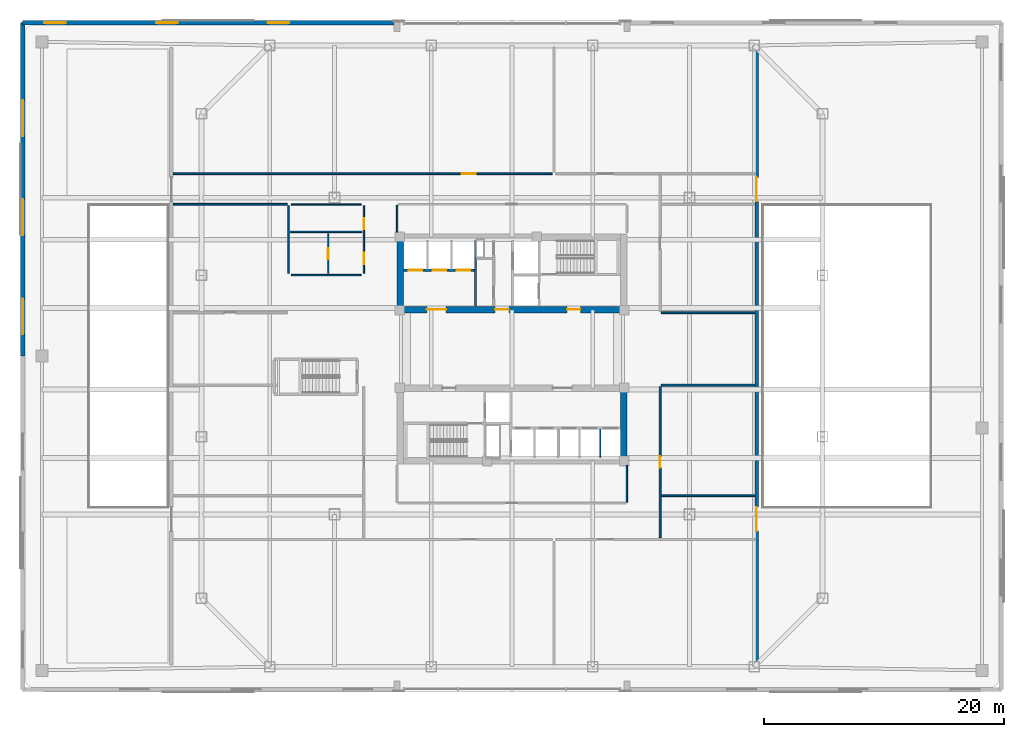
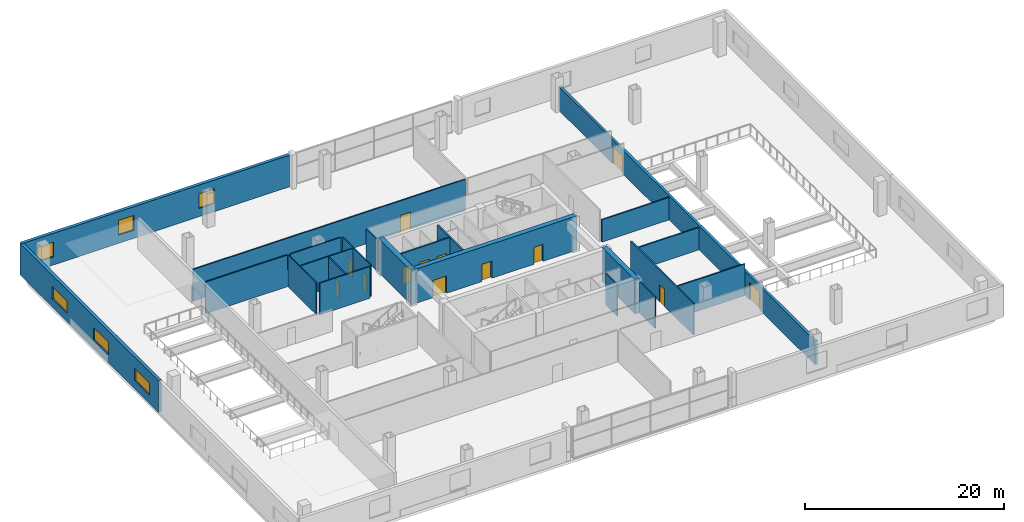
# One storey, part 13 of 21: 23 walls, 13 doors, 6 windows, 19 openings.
"""IFC4 building model written with IfcOpenShell, lengths in metres."""

from ifc_helpers import new_model, si_unit, direction, frame, frame_2d, origin, place, context, subcontext, project, spatial, rectangle, extrude, material, layer, layer_set, type_object, element, fill, save


model = new_model("IFC4")

# Units and contexts
model_context = context("Model", 3, precision=1e-05, world=origin(), true_north=direction((0.0, 1.0)))
body_context = subcontext(model_context, "Body", "Model", "MODEL_VIEW")
ifc_project = project(units=[si_unit("LENGTHUNIT", "METRE"), si_unit("AREAUNIT", "SQUARE_METRE"), si_unit("VOLUMEUNIT", "CUBIC_METRE"), si_unit("PLANEANGLEUNIT", "RADIAN"), si_unit("MASSUNIT", "GRAM", prefix="KILO")], contexts=[model_context])

# Site, building, storey
site_placement = place(None, origin())
site = spatial("IfcSite", under=ifc_project, at=site_placement, CompositionType="ELEMENT")
building_placement = place(site_placement, origin())
building = spatial("IfcBuilding", under=site, at=building_placement, Name="Qhalaya Broadcast Tower", CompositionType="ELEMENT")
storey_placement = place(building_placement, frame((0.0, 0.0, 9.300048828125)))
storey = spatial("IfcBuildingStorey", under=building, at=storey_placement, Name="L02", CompositionType="ELEMENT", Elevation=9.300048828125)

# Wall, opening, door
ifc_material_1 = material(Name="Gypsum Acoustic Partition")
ifc_layer_1 = layer(ifc_material_1, 0.14990234375, Name="Gypsum Acoustic Partition")
ifc_layer_set_1 = layer_set([ifc_layer_1], Name="Gypsum Acoustic Partition")
wall_type_1 = type_object("IfcWallType", Name="Corridor & Tenancy Acoustic Partition 150", PredefinedType="PARTITIONING", material=ifc_layer_set_1)
wall_1_placement = place(storey_placement, frame((-28.239990234375, 15.199951171875, 0.0), z_axis=(0.0, 0.0, 1.0), x_axis=(1.0, 0.0, 0.0)))
wall_1 = element("IfcWall", 1, at=wall_1_placement, inside=storey, type_object=wall_type_1, Name="L02 Partition Wall W-STN1L", PredefinedType="PARTITIONING", context=body_context, shape_type="SweptSolid", body=[
    extrude(rectangle(XDim=31.580078125, YDim=0.14990234375, at=frame_2d((15.7900390625, 0.0))), origin(), (0.0, 0.0, 1.0), 3.8798828125),
])
opening_1_placement = place(wall_1_placement, frame((24.031982421875, 0.0, 0.0)))
opening_1 = element("IfcOpeningElement", 2, at=opening_1_placement, cuts=wall_1, Name="Opening D11", PredefinedType="OPENING", context=body_context, shape_type="SweptSolid", body=[
    extrude(rectangle(XDim=1.199951171875, YDim=2.10009765625, at=frame_2d((0.60009765625, 1.050048828125))), frame((0.0, 0.0869140625, 0.0), z_axis=(0.0, -1.0, 0.0), x_axis=(1.0, 0.0, 0.0)), (0.0, 0.0, 1.0), 0.173828125),
])
ifc_material_2 = material(Name="Anodised Aluminium Glazed Door", Category="aluminium")
door_type_1 = type_object("IfcDoorType", Name="Conference, Boardroom & Studio Control Door D11", OperationType="NOTDEFINED", PredefinedType="DOOR", material=ifc_material_2)
door_1_placement = place(opening_1_placement, origin())
door_1 = element("IfcDoor", 3, at=door_1_placement, inside=storey, type_object=door_type_1, Name="L02 Door D-STN1", OperationType="SINGLE_SWING_LEFT", OverallHeight=2.10009765625, OverallWidth=1.199951171875, PredefinedType="DOOR", context=body_context, shape_type="SweptSolid", body=[
    extrude(rectangle(XDim=1.199951171875, YDim=2.10009765625, at=frame_2d((0.60009765625, 1.050048828125))), frame((0.0, 0.02490234375, 0.0), z_axis=(0.0, -1.0, 0.0), x_axis=(1.0, 0.0, 0.0)), (0.0, 0.0, 1.0), 0.050048828125),
])
fill(opening_1, door_1)

wall_2_placement = place(storey_placement, frame((12.35009765625, -15.139892578125, 0.0), z_axis=(0.0, 0.0, 1.0), x_axis=(0.0, 1.0, 0.0)))
wall_2 = element("IfcWall", 4, at=wall_2_placement, inside=storey, type_object=wall_type_1, Name="L02 Partition Wall W-STPES", PredefinedType="PARTITIONING", context=body_context, shape_type="SweptSolid", body=[
    extrude(rectangle(XDim=12.599853515625, YDim=0.14990234375, at=frame_2d((6.2998046875, 0.0))), origin(), (0.0, 0.0, 1.0), 3.8798828125),
])
opening_2_placement = place(wall_2_placement, frame((5.824951171875, 0.0, 0.0)))
opening_2 = element("IfcOpeningElement", 5, at=opening_2_placement, cuts=wall_2, Name="Opening D10", PredefinedType="OPENING", context=body_context, shape_type="SweptSolid", body=[
    extrude(rectangle(XDim=0.949951171875, YDim=2.10009765625, at=frame_2d((0.47509765625, 1.050048828125))), frame((0.0, 0.0869140625, 0.0), z_axis=(0.0, -1.0, 0.0), x_axis=(1.0, 0.0, 0.0)), (0.0, 0.0, 1.0), 0.173828125),
])
ifc_material_3 = material(Name="Timber Veneer Acoustic Door", Category="wood")
door_type_2 = type_object("IfcDoorType", Name="Cellular Office & Edit Booth Door D10", OperationType="NOTDEFINED", PredefinedType="DOOR", material=ifc_material_3)
door_2_placement = place(opening_2_placement, origin())
door_2 = element("IfcDoor", 6, at=door_2_placement, inside=storey, type_object=door_type_2, Name="L02 Door D-STPE1", OperationType="SINGLE_SWING_RIGHT", OverallHeight=2.10009765625, OverallWidth=0.949951171875, PredefinedType="DOOR", context=body_context, shape_type="SweptSolid", body=[
    extrude(rectangle(XDim=0.949951171875, YDim=2.10009765625, at=frame_2d((0.47509765625, 1.050048828125))), frame((0.0, 0.02490234375, 0.0), z_axis=(0.0, -1.0, 0.0), x_axis=(1.0, 0.0, 0.0)), (0.0, 0.0, 1.0), 0.050048828125),
])
fill(opening_2, door_2)

# Walls
for number, where, z_axis, x_axis, name in (
    (7, (12.4599609375, -2.419921875, 0.0), (0.0, 0.0, 1.0), (1.0, 0.0, 0.0), "L02 Partition Wall W-STP-CS"),
    (8, (12.4599609375, 3.6201171875, 0.0), (0.0, 0.0, 1.0), (1.0, 0.0, 0.0), "L02 Partition Wall W-STP-CN"),
):
    element("IfcWall", number, at=place(storey_placement, frame(where, z_axis=z_axis, x_axis=x_axis)), inside=storey, type_object=wall_type_1, Name=name, PredefinedType="PARTITIONING", context=body_context, shape_type="SweptSolid", body=[
        extrude(rectangle(XDim=7.800048828125, YDim=0.14990234375, at=frame_2d((3.89990234375, 0.0))), origin(), (0.0, 0.0, 1.0), 2.741943359375),
    ])
wall_3_placement = place(storey_placement, frame((-28.239990234375, 12.659912109375, 0.0), z_axis=(0.0, 0.0, 1.0), x_axis=(1.0, 0.0, 0.0)))
element("IfcWall", 9, at=wall_3_placement, inside=storey, type_object=wall_type_1, Name="L02 Partition Wall W-GAL-NW", PredefinedType="PARTITIONING", context=body_context, shape_type="SweptSolid", body=[
    extrude(rectangle(XDim=9.47998046875, YDim=0.14990234375, at=frame_2d((4.739990234375, 0.0))), origin(), (0.0, 0.0, 1.0), 3.8798828125),
])
wall_4_placement = place(storey_placement, frame((12.4599609375, -11.64990234375, 0.0), z_axis=(0.0, 0.0, 1.0), x_axis=(1.0, 0.0, 0.0)))
element("IfcWall", 10, at=wall_4_placement, inside=storey, type_object=wall_type_1, Name="L02 Partition Wall W-GAL-SE", PredefinedType="PARTITIONING", context=body_context, shape_type="SweptSolid", body=[
    extrude(rectangle(XDim=7.800048828125, YDim=0.14990234375, at=frame_2d((3.89990234375, 0.0))), origin(), (0.0, 0.0, 1.0), 3.8798828125),
])

# Wall, openings, doors
ifc_layer_2 = layer(ifc_material_1, 0.280029296875, Name="Gypsum Acoustic Partition")
ifc_layer_set_2 = layer_set([ifc_layer_2], Name="Gypsum Acoustic Partition")
wall_type_2 = type_object("IfcWallType", Name="Double-Leaf Soundstage Acoustic Wall 280", PredefinedType="MOVABLE", material=ifc_layer_set_2)
wall_5_placement = place(storey_placement, frame((20.39990234375, -25.739990234375, 0.0), z_axis=(0.0, 0.0, 1.0), x_axis=(0.0, 1.0, 0.0)))
wall_5 = element("IfcWall", 11, at=wall_5_placement, inside=storey, type_object=wall_type_2, Name="L02 Partition Wall W-STBE", PredefinedType="MOVABLE", context=body_context, shape_type="SweptSolid", body=[
    extrude(rectangle(XDim=51.47998046875, YDim=0.280029296875, at=frame_2d((25.739990234375, 0.0))), origin(), (0.0, 0.0, 1.0), 2.932861328125),
])
opening_3_placement = place(wall_5_placement, frame((11.14892578125, 0.0, 0.0)))
opening_3 = element("IfcOpeningElement", 12, at=opening_3_placement, cuts=wall_5, Name="Opening D08", PredefinedType="OPENING", context=body_context, shape_type="SweptSolid", body=[
    extrude(rectangle(XDim=2.0, YDim=2.139892578125, at=frame_2d((1.0, 1.06982421875))), frame((0.0, 0.152099609375, 0.0), z_axis=(0.0, -1.0, 0.0), x_axis=(1.0, 0.0, 0.0)), (0.0, 0.0, 1.0), 0.303955078125),
])
opening_4_placement = place(wall_5_placement, frame((38.639892578125, 0.0, 0.0)))
opening_4 = element("IfcOpeningElement", 13, at=opening_4_placement, cuts=wall_5, Name="Opening D08", PredefinedType="OPENING", context=body_context, shape_type="SweptSolid", body=[
    extrude(rectangle(XDim=2.0, YDim=2.139892578125, at=frame_2d((1.0, 1.06982421875))), frame((0.0, 0.152099609375, 0.0), z_axis=(0.0, -1.0, 0.0), x_axis=(1.0, 0.0, 0.0)), (0.0, 0.0, 1.0), 0.303955078125),
])
ifc_material_4 = material(Name="Acoustic Studio Isolation Steel Door", Category="steel")
door_type_3 = type_object("IfcDoorType", Name="Soundstage Acoustic Isolation Double Door D08", OperationType="DOUBLE_DOOR_SINGLE_SWING", PredefinedType="DOOR", material=ifc_material_4)
door_3_placement = place(opening_3_placement, origin())
door_3 = element("IfcDoor", 14, at=door_3_placement, inside=storey, type_object=door_type_3, Name="L02 Door D-STB1S", OperationType="DOUBLE_DOOR_SINGLE_SWING", OverallHeight=2.139892578125, OverallWidth=2.0, PredefinedType="DOOR", context=body_context, shape_type="SweptSolid", body=[
    extrude(rectangle(XDim=2.0, YDim=2.139892578125, at=frame_2d((1.0, 1.06982421875))), frame((0.0, 0.02490234375, 0.0), z_axis=(0.0, -1.0, 0.0), x_axis=(1.0, 0.0, 0.0)), (0.0, 0.0, 1.0), 0.050048828125),
])
fill(opening_3, door_3)
door_4_placement = place(opening_4_placement, origin())
door_4 = element("IfcDoor", 15, at=door_4_placement, inside=storey, type_object=door_type_3, Name="L02 Door D-STB1N", OperationType="DOUBLE_DOOR_SINGLE_SWING", OverallHeight=2.139892578125, OverallWidth=2.0, PredefinedType="DOOR", context=body_context, shape_type="SweptSolid", body=[
    extrude(rectangle(XDim=2.0, YDim=2.139892578125, at=frame_2d((1.0, 1.06982421875))), frame((0.0, 0.02490234375, 0.0), z_axis=(0.0, -1.0, 0.0), x_axis=(1.0, 0.0, 0.0)), (0.0, 0.0, 1.0), 0.050048828125),
])
fill(opening_4, door_4)

# Wall, openings, windows
ifc_material_5 = material(Name="Precast Concrete C40/50", Category="concrete")
ifc_layer_3 = layer(ifc_material_5, 0.360107421875, Name="Precast Concrete C40/50")
ifc_layer_set_3 = layer_set([ifc_layer_3], Name="Precast Concrete C40/50")
wall_type_3 = type_object("IfcWallType", Name="Insulated Precast Terracotta Exterior Wall 360", PredefinedType="SOLIDWALL", material=ifc_layer_set_3)
wall_6_placement = place(storey_placement, frame((-40.800048828125, 27.800048828125, 0.0), z_axis=(0.0, 0.0, 1.0), x_axis=(1.0, 0.0, 0.0)))
wall_6 = element("IfcWall", 16, at=wall_6_placement, inside=storey, type_object=wall_type_3, Name="L02 Podium Exterior Terracotta Wall EW-NW", PredefinedType="SOLIDWALL", context=body_context, shape_type="SweptSolid", body=[
    extrude(rectangle(XDim=30.9599609375, YDim=0.360107421875, at=frame_2d((15.47998046875, 0.0))), origin(), (0.0, 0.0, 1.0), 3.8798828125),
])
opening_5_placement = place(wall_6_placement, frame((1.800048828125, 0.0, 1.0)))
opening_5 = element("IfcOpeningElement", 17, at=opening_5_placement, cuts=wall_6, Name="Opening W02", PredefinedType="OPENING", context=body_context, shape_type="SweptSolid", body=[
    extrude(rectangle(XDim=1.800048828125, YDim=1.800048828125, at=frame_2d((0.89990234375, 0.89990234375))), frame((0.0, 0.192138671875, 0.0), z_axis=(0.0, -1.0, 0.0), x_axis=(1.0, 0.0, 0.0)), (0.0, 0.0, 1.0), 0.384033203125),
])
opening_6_placement = place(wall_6_placement, frame((11.1201171875, 0.0, 1.0)))
opening_6 = element("IfcOpeningElement", 18, at=opening_6_placement, cuts=wall_6, Name="Opening W02", PredefinedType="OPENING", context=body_context, shape_type="SweptSolid", body=[
    extrude(rectangle(XDim=1.800048828125, YDim=1.800048828125, at=frame_2d((0.89990234375, 0.89990234375))), frame((0.0, 0.192138671875, 0.0), z_axis=(0.0, -1.0, 0.0), x_axis=(1.0, 0.0, 0.0)), (0.0, 0.0, 1.0), 0.384033203125),
])
opening_7_placement = place(wall_6_placement, frame((20.43994140625, 0.0, 1.0)))
opening_7 = element("IfcOpeningElement", 19, at=opening_7_placement, cuts=wall_6, Name="Opening W02", PredefinedType="OPENING", context=body_context, shape_type="SweptSolid", body=[
    extrude(rectangle(XDim=1.800048828125, YDim=1.800048828125, at=frame_2d((0.89990234375, 0.89990234375))), frame((0.0, 0.192138671875, 0.0), z_axis=(0.0, -1.0, 0.0), x_axis=(1.0, 0.0, 0.0)), (0.0, 0.0, 1.0), 0.384033203125),
])
ifc_material_6 = material(Name="Solar-Control Low-E Triple Glazing", Category="glass")
window_type_1 = type_object("IfcWindowType", Name="Podium Production Office Window W02", PartitioningType="SINGLE_PANEL", PredefinedType="WINDOW", material=ifc_material_6)
window_1_placement = place(opening_5_placement, origin())
window_1 = element("IfcWindow", 20, at=window_1_placement, inside=storey, type_object=window_type_1, Name="L02 Facade Window W02-1", OverallHeight=1.800048828125, OverallWidth=1.800048828125, PartitioningType="SINGLE_PANEL", PredefinedType="WINDOW", context=body_context, shape_type="SweptSolid", body=[
    extrude(rectangle(XDim=1.800048828125, YDim=1.800048828125, at=frame_2d((0.89990234375, 0.89990234375))), frame((0.0, 0.030029296875, 0.0), z_axis=(0.0, -1.0, 0.0), x_axis=(1.0, 0.0, 0.0)), (0.0, 0.0, 1.0), 0.06005859375),
])
fill(opening_5, window_1)
window_2_placement = place(opening_6_placement, origin())
window_2 = element("IfcWindow", 21, at=window_2_placement, inside=storey, type_object=window_type_1, Name="L02 Facade Window W02-2", OverallHeight=1.800048828125, OverallWidth=1.800048828125, PartitioningType="SINGLE_PANEL", PredefinedType="WINDOW", context=body_context, shape_type="SweptSolid", body=[
    extrude(rectangle(XDim=1.800048828125, YDim=1.800048828125, at=frame_2d((0.89990234375, 0.89990234375))), frame((0.0, 0.030029296875, 0.0), z_axis=(0.0, -1.0, 0.0), x_axis=(1.0, 0.0, 0.0)), (0.0, 0.0, 1.0), 0.06005859375),
])
fill(opening_6, window_2)
window_3_placement = place(opening_7_placement, origin())
window_3 = element("IfcWindow", 22, at=window_3_placement, inside=storey, type_object=window_type_1, Name="L02 Facade Window W02-3", OverallHeight=1.800048828125, OverallWidth=1.800048828125, PartitioningType="SINGLE_PANEL", PredefinedType="WINDOW", context=body_context, shape_type="SweptSolid", body=[
    extrude(rectangle(XDim=1.800048828125, YDim=1.800048828125, at=frame_2d((0.89990234375, 0.89990234375))), frame((0.0, 0.030029296875, 0.0), z_axis=(0.0, -1.0, 0.0), x_axis=(1.0, 0.0, 0.0)), (0.0, 0.0, 1.0), 0.06005859375),
])
fill(opening_7, window_3)

wall_7_placement = place(storey_placement, frame((-40.800048828125, 0.0, 0.0), z_axis=(0.0, 0.0, 1.0), x_axis=(0.0, 1.0, 0.0)))
wall_7 = element("IfcWall", 23, at=wall_7_placement, inside=storey, type_object=wall_type_3, Name="L02 Podium Exterior Terracotta Wall EW-WN", PredefinedType="SOLIDWALL", context=body_context, shape_type="SweptSolid", body=[
    extrude(rectangle(XDim=27.800048828125, YDim=0.360107421875, at=frame_2d((13.89990234375, 0.0))), origin(), (0.0, 0.0, 1.0), 3.8798828125),
])
opening_8_placement = place(wall_7_placement, frame((1.800048828125, 0.0, 1.0)))
opening_8 = element("IfcOpeningElement", 24, at=opening_8_placement, cuts=wall_7, Name="Opening W03", PredefinedType="OPENING", context=body_context, shape_type="SweptSolid", body=[
    extrude(rectangle(XDim=3.0, YDim=1.5, at=frame_2d((1.5, 0.75))), frame((0.0, 0.192138671875, 0.0), z_axis=(0.0, -1.0, 0.0), x_axis=(1.0, 0.0, 0.0)), (0.0, 0.0, 1.0), 0.384033203125),
])
opening_9_placement = place(wall_7_placement, frame((10.06689453125, 0.0, 1.0)))
opening_9 = element("IfcOpeningElement", 25, at=opening_9_placement, cuts=wall_7, Name="Opening W03", PredefinedType="OPENING", context=body_context, shape_type="SweptSolid", body=[
    extrude(rectangle(XDim=3.0, YDim=1.5, at=frame_2d((1.5, 0.75))), frame((0.0, 0.192138671875, 0.0), z_axis=(0.0, -1.0, 0.0), x_axis=(1.0, 0.0, 0.0)), (0.0, 0.0, 1.0), 0.384033203125),
])
opening_10_placement = place(wall_7_placement, frame((18.3330078125, 0.0, 1.0)))
opening_10 = element("IfcOpeningElement", 26, at=opening_10_placement, cuts=wall_7, Name="Opening W03", PredefinedType="OPENING", context=body_context, shape_type="SweptSolid", body=[
    extrude(rectangle(XDim=3.0, YDim=1.5, at=frame_2d((1.5, 0.75))), frame((0.0, 0.192138671875, 0.0), z_axis=(0.0, -1.0, 0.0), x_axis=(1.0, 0.0, 0.0)), (0.0, 0.0, 1.0), 0.384033203125),
])
window_type_2 = type_object("IfcWindowType", Name="Podium Concourse Clerestory Window W03", PartitioningType="SINGLE_PANEL", PredefinedType="WINDOW", material=ifc_material_6)
window_4_placement = place(opening_8_placement, origin())
window_4 = element("IfcWindow", 27, at=window_4_placement, inside=storey, type_object=window_type_2, Name="L02 Facade Window W03-1", OverallHeight=1.5, OverallWidth=3.0, PartitioningType="SINGLE_PANEL", PredefinedType="WINDOW", context=body_context, shape_type="SweptSolid", body=[
    extrude(rectangle(XDim=3.0, YDim=1.5, at=frame_2d((1.5, 0.75))), frame((0.0, 0.030029296875, 0.0), z_axis=(0.0, -1.0, 0.0), x_axis=(1.0, 0.0, 0.0)), (0.0, 0.0, 1.0), 0.06005859375),
])
fill(opening_8, window_4)
window_5_placement = place(opening_9_placement, origin())
window_5 = element("IfcWindow", 28, at=window_5_placement, inside=storey, type_object=window_type_2, Name="L02 Facade Window W03-2", OverallHeight=1.5, OverallWidth=3.0, PartitioningType="SINGLE_PANEL", PredefinedType="WINDOW", context=body_context, shape_type="SweptSolid", body=[
    extrude(rectangle(XDim=3.0, YDim=1.5, at=frame_2d((1.5, 0.75))), frame((0.0, 0.030029296875, 0.0), z_axis=(0.0, -1.0, 0.0), x_axis=(1.0, 0.0, 0.0)), (0.0, 0.0, 1.0), 0.06005859375),
])
fill(opening_9, window_5)
window_6_placement = place(opening_10_placement, origin())
window_6 = element("IfcWindow", 29, at=window_6_placement, inside=storey, type_object=window_type_2, Name="L02 Facade Window W03-3", OverallHeight=1.5, OverallWidth=3.0, PartitioningType="SINGLE_PANEL", PredefinedType="WINDOW", context=body_context, shape_type="SweptSolid", body=[
    extrude(rectangle(XDim=3.0, YDim=1.5, at=frame_2d((1.5, 0.75))), frame((0.0, 0.030029296875, 0.0), z_axis=(0.0, -1.0, 0.0), x_axis=(1.0, 0.0, 0.0)), (0.0, 0.0, 1.0), 0.06005859375),
])
fill(opening_10, window_6)

# Wall, openings, doors
ifc_material_7 = material(Name="Concrete C60/75", Category="concrete")
ifc_layer_4 = layer(ifc_material_7, 0.550048828125, Name="Concrete C60/75")
ifc_layer_set_4 = layer_set([ifc_layer_4], Name="Concrete C60/75")
wall_type_4 = type_object("IfcWallType", Name="Lower Split-Core Shear Wall 550", PredefinedType="SHEAR", material=ifc_layer_set_4)
wall_8_placement = place(storey_placement, frame((-9.60009765625, 3.875, 0.0), z_axis=(0.0, 0.0, 1.0), x_axis=(1.0, 0.0, 0.0)))
wall_8 = element("IfcWall", 30, at=wall_8_placement, inside=storey, type_object=wall_type_4, Name="L02 Split-Core Shear Wall CW-NS", PredefinedType="SHEAR", context=body_context, shape_type="SweptSolid", body=[
    extrude(rectangle(XDim=19.2001953125, YDim=0.550048828125, at=frame_2d((9.60009765625, 0.0))), origin(), (0.0, 0.0, 1.0), 4.199951171875),
])
opening_11_placement = place(wall_8_placement, frame((14.199951171875, 0.0, 0.0)))
opening_11 = element("IfcOpeningElement", 31, at=opening_11_placement, cuts=wall_8, Name="Opening D04", PredefinedType="OPENING", context=body_context, shape_type="SweptSolid", body=[
    extrude(rectangle(XDim=1.10009765625, YDim=2.080078125, at=frame_2d((0.550048828125, 1.0400390625))), frame((0.0, 0.287109375, 0.0), z_axis=(0.0, -1.0, 0.0), x_axis=(1.0, 0.0, 0.0)), (0.0, 0.0, 1.0), 0.573974609375),
])
opening_12_placement = place(wall_8_placement, frame((8.199951171875, 0.0, 0.0)))
opening_12 = element("IfcOpeningElement", 32, at=opening_12_placement, cuts=wall_8, Name="Opening D05", PredefinedType="OPENING", context=body_context, shape_type="SweptSolid", body=[
    extrude(rectangle(XDim=1.14990234375, YDim=2.10009765625, at=frame_2d((0.574951171875, 1.050048828125))), frame((0.0, 0.287109375, 0.0), z_axis=(0.0, -1.0, 0.0), x_axis=(1.0, 0.0, 0.0)), (0.0, 0.0, 1.0), 0.573974609375),
])
opening_13_placement = place(wall_8_placement, frame((2.5, 0.0, 0.0)))
opening_13 = element("IfcOpeningElement", 33, at=opening_13_placement, cuts=wall_8, Name="Opening D07", PredefinedType="OPENING", context=body_context, shape_type="SweptSolid", body=[
    extrude(rectangle(XDim=1.60009765625, YDim=2.1201171875, at=frame_2d((0.800048828125, 1.06005859375))), frame((0.0, 0.287109375, 0.0), z_axis=(0.0, -1.0, 0.0), x_axis=(1.0, 0.0, 0.0)), (0.0, 0.0, 1.0), 0.573974609375),
])
ifc_material_8 = material(Name="Fire-Rated Steel Door", Category="steel")
door_type_4 = type_object("IfcDoorType", Name="Firefighting Lobby Rated Door D04", OperationType="NOTDEFINED", PredefinedType="DOOR", material=ifc_material_8)
door_5_placement = place(opening_11_placement, origin())
door_5 = element("IfcDoor", 34, at=door_5_placement, inside=storey, type_object=door_type_4, Name="L02 Door D-NFF", OperationType="SINGLE_SWING_RIGHT", OverallHeight=2.080078125, OverallWidth=1.10009765625, PredefinedType="DOOR", context=body_context, shape_type="SweptSolid", body=[
    extrude(rectangle(XDim=1.10009765625, YDim=2.080078125, at=frame_2d((0.550048828125, 1.0400390625))), frame((0.0, 0.02490234375, 0.0), z_axis=(0.0, -1.0, 0.0), x_axis=(1.0, 0.0, 0.0)), (0.0, 0.0, 1.0), 0.050048828125),
])
fill(opening_11, door_5)
door_type_5 = type_object("IfcDoorType", Name="Passenger Lift Lobby Double Glazed Door D07", OperationType="DOUBLE_DOOR_SINGLE_SWING", PredefinedType="DOOR", material=ifc_material_2)
door_6_placement = place(opening_13_placement, origin())
door_6 = element("IfcDoor", 35, at=door_6_placement, inside=storey, type_object=door_type_5, Name="L02 Door D-NPLL", OperationType="DOUBLE_DOOR_SINGLE_SWING", OverallHeight=2.1201171875, OverallWidth=1.60009765625, PredefinedType="DOOR", context=body_context, shape_type="SweptSolid", body=[
    extrude(rectangle(XDim=1.60009765625, YDim=2.1201171875, at=frame_2d((0.800048828125, 1.06005859375))), frame((0.0, 0.02490234375, 0.0), z_axis=(0.0, -1.0, 0.0), x_axis=(1.0, 0.0, 0.0)), (0.0, 0.0, 1.0), 0.050048828125),
])
fill(opening_13, door_6)
door_type_6 = type_object("IfcDoorType", Name="Refuge & Plant Room Fire Door D05", OperationType="NOTDEFINED", PredefinedType="DOOR", material=ifc_material_8)
door_7_placement = place(opening_12_placement, origin())
door_7 = element("IfcDoor", 36, at=door_7_placement, inside=storey, type_object=door_type_6, Name="L02 Door D-NSVL", OperationType="SINGLE_SWING_LEFT", OverallHeight=2.10009765625, OverallWidth=1.14990234375, PredefinedType="DOOR", context=body_context, shape_type="SweptSolid", body=[
    extrude(rectangle(XDim=1.14990234375, YDim=2.10009765625, at=frame_2d((0.574951171875, 1.050048828125))), frame((0.0, 0.02490234375, 0.0), z_axis=(0.0, -1.0, 0.0), x_axis=(1.0, 0.0, 0.0)), (0.0, 0.0, 1.0), 0.050048828125),
])
fill(opening_12, door_7)

# Walls
wall_9_placement = place(storey_placement, frame((-9.324951171875, 3.60009765625, 0.0), z_axis=(0.0, 0.0, 1.0), x_axis=(0.0, 1.0, 0.0)))
element("IfcWall", 37, at=wall_9_placement, inside=storey, type_object=wall_type_4, Name="L02 Split-Core Shear Wall CW-NW", PredefinedType="SHEAR", context=body_context, shape_type="SweptSolid", body=[
    extrude(rectangle(XDim=6.599853515625, YDim=0.550048828125, at=frame_2d((3.2998046875, 0.0))), origin(), (0.0, 0.0, 1.0), 4.199951171875),
])
wall_10_placement = place(storey_placement, frame((9.324951171875, -9.0, 0.0), z_axis=(0.0, 0.0, 1.0), x_axis=(0.0, 1.0, 0.0)))
element("IfcWall", 38, at=wall_10_placement, inside=storey, type_object=wall_type_4, Name="L02 Split-Core Shear Wall CW-SE", PredefinedType="SHEAR", context=body_context, shape_type="SweptSolid", body=[
    extrude(rectangle(XDim=6.60009765625, YDim=0.550048828125, at=frame_2d((3.300048828125, 0.0))), origin(), (0.0, 0.0, 1.0), 4.199951171875),
])
ifc_layer_5 = layer(ifc_material_1, 0.1201171875, Name="Gypsum Acoustic Partition")
ifc_layer_set_5 = layer_set([ifc_layer_5], Name="Gypsum Acoustic Partition")
wall_type_5 = type_object("IfcWallType", Name="Office, Booth & Sanitary Partition 120", PredefinedType="PARTITIONING", material=ifc_layer_set_5)
wall_11_placement = place(storey_placement, frame((7.360107421875, -8.429931640625, 0.0), z_axis=(0.0, 0.0, 1.0), x_axis=(0.0, 1.0, 0.0)))
element("IfcWall", 39, at=wall_11_placement, inside=storey, type_object=wall_type_5, Name="L02 Partition Wall SCW-HD7", PredefinedType="PARTITIONING", context=body_context, shape_type="SweptSolid", body=[
    extrude(rectangle(XDim=2.329833984375, YDim=0.1201171875, at=frame_2d((1.1650390625, 0.0))), origin(), (0.0, 0.0, 1.0), 3.8798828125),
])
for number, where, z_axis, x_axis, name in (
    (40, (-18.419921875, 6.75, 0.0), (0.0, 0.0, 1.0), (1.0, 0.0, 0.0), "L02 Partition Wall W-PWCS"),
    (41, (-18.419921875, 12.639892578125, 0.0), (0.0, 0.0, 1.0), (1.0, 0.0, 0.0), "L02 Partition Wall W-PWCN"),
):
    element("IfcWall", number, at=place(storey_placement, frame(where, z_axis=z_axis, x_axis=x_axis)), inside=storey, type_object=wall_type_5, Name=name, PredefinedType="PARTITIONING", context=body_context, shape_type="SweptSolid", body=[
        extrude(rectangle(XDim=5.83984375, YDim=0.1201171875, at=frame_2d((2.919921875, 0.0))), origin(), (0.0, 0.0, 1.0), 3.8798828125),
    ])
wall_12_placement = place(storey_placement, frame((-18.64990234375, 6.909912109375, 0.0), z_axis=(0.0, 0.0, 1.0), x_axis=(0.0, 1.0, 0.0)))
element("IfcWall", 42, at=wall_12_placement, inside=storey, type_object=wall_type_5, Name="L02 Partition Wall W-PWCW", PredefinedType="PARTITIONING", context=body_context, shape_type="SweptSolid", body=[
    extrude(rectangle(XDim=5.610107421875, YDim=0.1201171875, at=frame_2d((2.80517578125, 0.0))), origin(), (0.0, 0.0, 1.0), 3.8798828125),
])
wall_13_placement = place(storey_placement, frame((-18.489990234375, 10.35009765625, 0.0), z_axis=(0.0, 0.0, 1.0), x_axis=(1.0, 0.0, 0.0)))
element("IfcWall", 43, at=wall_13_placement, inside=storey, type_object=wall_type_5, Name="L02 Partition Wall W-PWCM", PredefinedType="PARTITIONING", context=body_context, shape_type="SweptSolid", body=[
    extrude(rectangle(XDim=5.97998046875, YDim=0.1201171875, at=frame_2d((2.989990234375, 0.0))), origin(), (0.0, 0.0, 1.0), 3.8798828125),
])

# Wall, opening, door
wall_14_placement = place(storey_placement, frame((-15.320068359375, 6.909912109375, 0.0), z_axis=(0.0, 0.0, 1.0), x_axis=(0.0, 1.0, 0.0)))
wall_14 = element("IfcWall", 44, at=wall_14_placement, inside=storey, type_object=wall_type_5, Name="L02 Partition Wall W-PWCD", PredefinedType="PARTITIONING", context=body_context, shape_type="SweptSolid", body=[
    extrude(rectangle(XDim=3.280029296875, YDim=0.1201171875, at=frame_2d((1.64013671875, 0.0))), origin(), (0.0, 0.0, 1.0), 3.8798828125),
])
opening_14_placement = place(wall_14_placement, frame((1.1650390625, 0.0, 0.0)))
opening_14 = element("IfcOpeningElement", 45, at=opening_14_placement, cuts=wall_14, Name="Opening D12", PredefinedType="OPENING", context=body_context, shape_type="SweptSolid", body=[
    extrude(rectangle(XDim=0.919921875, YDim=2.10009765625, at=frame_2d((0.4599609375, 1.050048828125))), frame((0.0, 0.072021484375, 0.0), z_axis=(0.0, -1.0, 0.0), x_axis=(1.0, 0.0, 0.0)), (0.0, 0.0, 1.0), 0.14404296875),
])
door_type_7 = type_object("IfcDoorType", Name="Accessible WC & Restroom Door D12", OperationType="NOTDEFINED", PredefinedType="DOOR", material=ifc_material_3)
door_8_placement = place(opening_14_placement, origin())
door_8 = element("IfcDoor", 46, at=door_8_placement, inside=storey, type_object=door_type_7, Name="L02 Door D-PWCA", OperationType="SINGLE_SWING_LEFT", OverallHeight=2.10009765625, OverallWidth=0.919921875, PredefinedType="DOOR", context=body_context, shape_type="SweptSolid", body=[
    extrude(rectangle(XDim=0.919921875, YDim=2.10009765625, at=frame_2d((0.4599609375, 1.050048828125))), frame((0.0, 0.02490234375, 0.0), z_axis=(0.0, -1.0, 0.0), x_axis=(1.0, 0.0, 0.0)), (0.0, 0.0, 1.0), 0.050048828125),
])
fill(opening_14, door_8)

# Wall, openings, doors
wall_15_placement = place(storey_placement, frame((-12.35009765625, 6.909912109375, 0.0), z_axis=(0.0, 0.0, 1.0), x_axis=(0.0, 1.0, 0.0)))
wall_15 = element("IfcWall", 47, at=wall_15_placement, inside=storey, type_object=wall_type_5, Name="L02 Partition Wall W-PWCE", PredefinedType="PARTITIONING", context=body_context, shape_type="SweptSolid", body=[
    extrude(rectangle(XDim=5.610107421875, YDim=0.1201171875, at=frame_2d((2.80517578125, 0.0))), origin(), (0.0, 0.0, 1.0), 3.8798828125),
])
opening_15_placement = place(wall_15_placement, frame((0.759033203125, 0.0, 0.0)))
opening_15 = element("IfcOpeningElement", 48, at=opening_15_placement, cuts=wall_15, Name="Opening D10", PredefinedType="OPENING", context=body_context, shape_type="SweptSolid", body=[
    extrude(rectangle(XDim=0.949951171875, YDim=2.10009765625, at=frame_2d((0.47509765625, 1.050048828125))), frame((0.0, 0.072021484375, 0.0), z_axis=(0.0, -1.0, 0.0), x_axis=(1.0, 0.0, 0.0)), (0.0, 0.0, 1.0), 0.14404296875),
])
opening_16_placement = place(wall_15_placement, frame((3.676025390625, 0.0, 0.0)))
opening_16 = element("IfcOpeningElement", 49, at=opening_16_placement, cuts=wall_15, Name="Opening D12", PredefinedType="OPENING", context=body_context, shape_type="SweptSolid", body=[
    extrude(rectangle(XDim=0.919921875, YDim=2.10009765625, at=frame_2d((0.4599609375, 1.050048828125))), frame((0.0, 0.072021484375, 0.0), z_axis=(0.0, -1.0, 0.0), x_axis=(1.0, 0.0, 0.0)), (0.0, 0.0, 1.0), 0.14404296875),
])
door_9_placement = place(opening_16_placement, origin())
door_9 = element("IfcDoor", 50, at=door_9_placement, inside=storey, type_object=door_type_7, Name="L02 Door D-PWCM", OperationType="SINGLE_SWING_LEFT", OverallHeight=2.10009765625, OverallWidth=0.919921875, PredefinedType="DOOR", context=body_context, shape_type="SweptSolid", body=[
    extrude(rectangle(XDim=0.919921875, YDim=2.10009765625, at=frame_2d((0.4599609375, 1.050048828125))), frame((0.0, 0.02490234375, 0.0), z_axis=(0.0, -1.0, 0.0), x_axis=(1.0, 0.0, 0.0)), (0.0, 0.0, 1.0), 0.050048828125),
])
fill(opening_16, door_9)
door_10_placement = place(opening_15_placement, origin())
door_10 = element("IfcDoor", 51, at=door_10_placement, inside=storey, type_object=door_type_2, Name="L02 Door D-PWCP", OperationType="SINGLE_SWING_RIGHT", OverallHeight=2.10009765625, OverallWidth=0.949951171875, PredefinedType="DOOR", context=body_context, shape_type="SweptSolid", body=[
    extrude(rectangle(XDim=0.949951171875, YDim=2.10009765625, at=frame_2d((0.47509765625, 1.050048828125))), frame((0.0, 0.02490234375, 0.0), z_axis=(0.0, -1.0, 0.0), x_axis=(1.0, 0.0, 0.0)), (0.0, 0.0, 1.0), 0.050048828125),
])
fill(opening_15, door_10)

# Walls
wall_16_placement = place(storey_placement, frame((-9.580078125, 10.31005859375, 0.0), z_axis=(0.0, 0.0, 1.0), x_axis=(0.0, 1.0, 0.0)))
element("IfcWall", 52, at=wall_16_placement, inside=storey, type_object=wall_type_5, Name="L02 Partition Wall W-PCSHNW", PredefinedType="PARTITIONING", context=body_context, shape_type="SweptSolid", body=[
    extrude(rectangle(XDim=2.280029296875, YDim=0.1201171875, at=frame_2d((1.14013671875, 0.0))), origin(), (0.0, 0.0, 1.0), 3.8798828125),
])
wall_17_placement = place(storey_placement, frame((9.580078125, -12.18994140625, 0.0), z_axis=(0.0, 0.0, 1.0), x_axis=(0.0, 1.0, 0.0)))
element("IfcWall", 53, at=wall_17_placement, inside=storey, type_object=wall_type_5, Name="L02 Partition Wall W-PCSHSE", PredefinedType="PARTITIONING", context=body_context, shape_type="SweptSolid", body=[
    extrude(rectangle(XDim=3.079833984375, YDim=0.1201171875, at=frame_2d((1.5400390625, 0.0))), origin(), (0.0, 0.0, 1.0), 3.8798828125),
])
ifc_layer_6 = layer(ifc_material_1, 0.175048828125, Name="Gypsum Acoustic Partition")
ifc_layer_set_6 = layer_set([ifc_layer_6], Name="Gypsum Acoustic Partition")
wall_type_6 = type_object("IfcWallType", Name="Shaft & Riser Fire Partition 175", PredefinedType="PARTITIONING", material=ifc_layer_set_6)
wall_18_placement = place(storey_placement, frame((-3.0400390625, 4.169921875, 0.0), z_axis=(0.0, 0.0, 1.0), x_axis=(0.0, 1.0, 0.0)))
element("IfcWall", 54, at=wall_18_placement, inside=storey, type_object=wall_type_6, Name="L02 Partition Wall NCW-VRW", PredefinedType="PARTITIONING", context=body_context, shape_type="SweptSolid", body=[
    extrude(rectangle(XDim=5.4599609375, YDim=0.175048828125, at=frame_2d((2.72998046875, 0.0))), origin(), (0.0, 0.0, 1.0), 3.8798828125),
])

# Wall, openings, doors
wall_19_placement = place(storey_placement, frame((-9.030029296875, 7.159912109375, 0.0), z_axis=(0.0, 0.0, 1.0), x_axis=(1.0, 0.0, 0.0)))
wall_19 = element("IfcWall", 55, at=wall_19_placement, inside=storey, type_object=wall_type_6, Name="L02 Partition Wall NCW-PLB", PredefinedType="PARTITIONING", context=body_context, shape_type="SweptSolid", body=[
    extrude(rectangle(XDim=5.909912109375, YDim=0.175048828125, at=frame_2d((2.955078125, 0.0))), origin(), (0.0, 0.0, 1.0), 3.8798828125),
])
opening_17_placement = place(wall_19_placement, frame((0.429931640625, 0.0, 0.0)))
opening_17 = element("IfcOpeningElement", 56, at=opening_17_placement, cuts=wall_19, Name="Opening LD1", PredefinedType="OPENING", context=body_context, shape_type="SweptSolid", body=[
    extrude(rectangle(XDim=1.10009765625, YDim=2.06005859375, at=frame_2d((0.550048828125, 1.030029296875))), frame((0.0, 0.099609375, 0.0), z_axis=(0.0, -1.0, 0.0), x_axis=(1.0, 0.0, 0.0)), (0.0, 0.0, 1.0), 0.198974609375),
])
opening_18_placement = place(wall_19_placement, frame((2.429931640625, 0.0, 0.0)))
opening_18 = element("IfcOpeningElement", 57, at=opening_18_placement, cuts=wall_19, Name="Opening LD1", PredefinedType="OPENING", context=body_context, shape_type="SweptSolid", body=[
    extrude(rectangle(XDim=1.10009765625, YDim=2.06005859375, at=frame_2d((0.550048828125, 1.030029296875))), frame((0.0, 0.099609375, 0.0), z_axis=(0.0, -1.0, 0.0), x_axis=(1.0, 0.0, 0.0)), (0.0, 0.0, 1.0), 0.198974609375),
])
opening_19_placement = place(wall_19_placement, frame((4.429931640625, 0.0, 0.0)))
opening_19 = element("IfcOpeningElement", 58, at=opening_19_placement, cuts=wall_19, Name="Opening LD1", PredefinedType="OPENING", context=body_context, shape_type="SweptSolid", body=[
    extrude(rectangle(XDim=1.10009765625, YDim=2.06005859375, at=frame_2d((0.550048828125, 1.030029296875))), frame((0.0, 0.099609375, 0.0), z_axis=(0.0, -1.0, 0.0), x_axis=(1.0, 0.0, 0.0)), (0.0, 0.0, 1.0), 0.198974609375),
])
ifc_material_9 = material(Name="Brushed Stainless Steel Lift Door", Category="steel")
door_type_8 = type_object("IfcDoorType", Name="Passenger Lift Sliding Landing Door LD1", OperationType="DOUBLE_DOOR_SLIDING", PredefinedType="DOOR", material=ifc_material_9)
door_11_placement = place(opening_17_placement, origin())
door_11 = element("IfcDoor", 59, at=door_11_placement, inside=storey, type_object=door_type_8, Name="L02 Door LD-P1", OperationType="DOUBLE_DOOR_SLIDING", OverallHeight=2.06005859375, OverallWidth=1.10009765625, PredefinedType="DOOR", context=body_context, shape_type="SweptSolid", body=[
    extrude(rectangle(XDim=1.10009765625, YDim=2.06005859375, at=frame_2d((0.550048828125, 1.030029296875))), frame((0.0, 0.02490234375, 0.0), z_axis=(0.0, -1.0, 0.0), x_axis=(1.0, 0.0, 0.0)), (0.0, 0.0, 1.0), 0.050048828125),
])
fill(opening_17, door_11)
door_12_placement = place(opening_18_placement, origin())
door_12 = element("IfcDoor", 60, at=door_12_placement, inside=storey, type_object=door_type_8, Name="L02 Door LD-P2", OperationType="DOUBLE_DOOR_SLIDING", OverallHeight=2.06005859375, OverallWidth=1.10009765625, PredefinedType="DOOR", context=body_context, shape_type="SweptSolid", body=[
    extrude(rectangle(XDim=1.10009765625, YDim=2.06005859375, at=frame_2d((0.550048828125, 1.030029296875))), frame((0.0, 0.02490234375, 0.0), z_axis=(0.0, -1.0, 0.0), x_axis=(1.0, 0.0, 0.0)), (0.0, 0.0, 1.0), 0.050048828125),
])
fill(opening_18, door_12)
door_13_placement = place(opening_19_placement, origin())
door_13 = element("IfcDoor", 61, at=door_13_placement, inside=storey, type_object=door_type_8, Name="L02 Door LD-P3", OperationType="DOUBLE_DOOR_SLIDING", OverallHeight=2.06005859375, OverallWidth=1.10009765625, PredefinedType="DOOR", context=body_context, shape_type="SweptSolid", body=[
    extrude(rectangle(XDim=1.10009765625, YDim=2.06005859375, at=frame_2d((0.550048828125, 1.030029296875))), frame((0.0, 0.02490234375, 0.0), z_axis=(0.0, -1.0, 0.0), x_axis=(1.0, 0.0, 0.0)), (0.0, 0.0, 1.0), 0.050048828125),
])
fill(opening_19, door_13)

save(model, "model.ifc")
